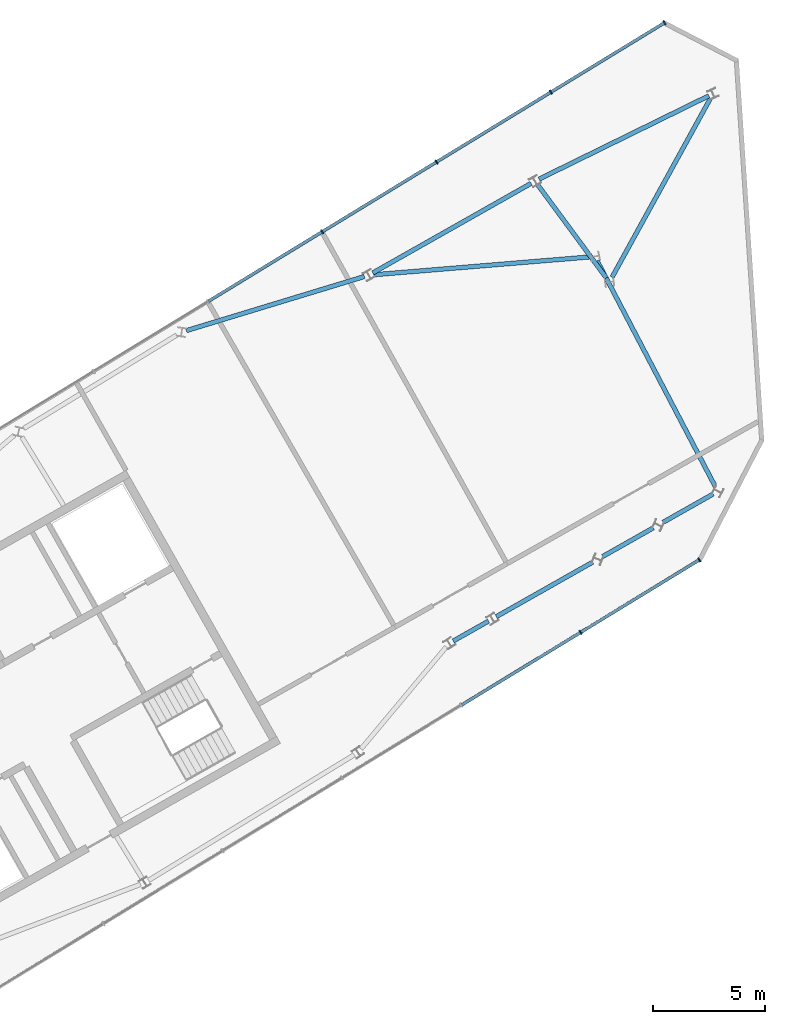
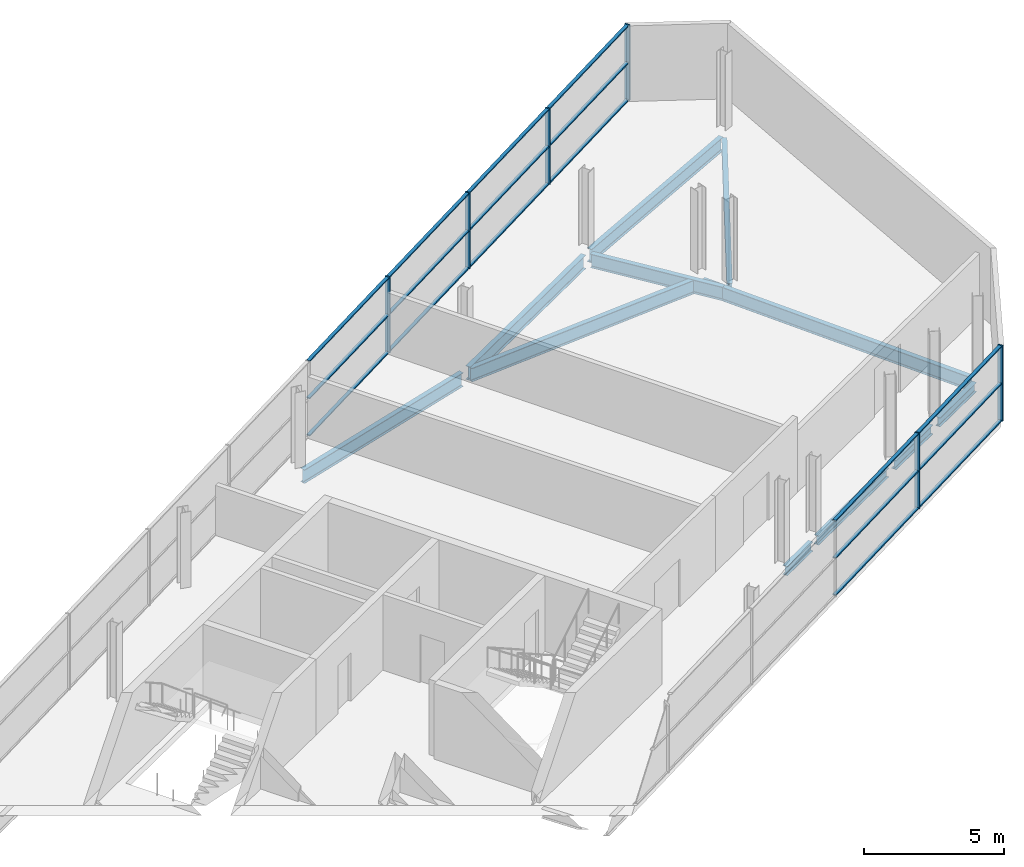
# One storey, part 5 of 8: 24 members, 11 beams, 2 elements without a shape of their own.
"""IFC4 building model written with IfcOpenShell, lengths in metres."""

from ifc_helpers import new_model, si_unit, direction, frame, origin, origin_2d, place, context, subcontext, project, spatial, rectangle, i_section, extrude, material, material_profile, profile_set, type_object, element, aggregate, save


model = new_model("IFC4")

# Units and contexts
model_context = context("Model", 3, precision=1e-05, world=origin(), true_north=direction((0.0, 1.0)))
body_context = subcontext(model_context, "Body", "Model", "MODEL_VIEW")
ifc_project = project(units=[si_unit("LENGTHUNIT", "METRE"), si_unit("AREAUNIT", "SQUARE_METRE"), si_unit("VOLUMEUNIT", "CUBIC_METRE"), si_unit("PLANEANGLEUNIT", "RADIAN"), si_unit("MASSUNIT", "GRAM", prefix="KILO")], contexts=[model_context])

# Site, building, storey
site_placement = place(None, origin())
site = spatial("IfcSite", under=ifc_project, at=site_placement, CompositionType="ELEMENT")
building_placement = place(site_placement, origin())
building = spatial("IfcBuilding", under=site, at=building_placement, Name="Binnacle Exchange Tower", CompositionType="ELEMENT")
storey_placement = place(building_placement, frame((0.0, 0.0, 350.5)))
storey = spatial("IfcBuildingStorey", under=building, at=storey_placement, Name="L80", CompositionType="ELEMENT", Elevation=350.5)

# Curtain wall, members
ifc_material_1 = material(Name="Bronze anodised aluminium frame", Category="aluminium")
curtain_wall_type = type_object("IfcCurtainWallType", Name="External wall - curtain wall crown tiers", PredefinedType="NOTDEFINED", material=ifc_material_1)
curtain_wall_1_placement = place(storey_placement, origin())
curtain_wall_1 = element("IfcCurtainWall", 1, at=curtain_wall_1_placement, inside=storey, type_object=curtain_wall_type, Name="External wall curtain wall CW5-C103 L80", PredefinedType="NOTDEFINED")
ifc_material_profile_1 = material_profile(ifc_material_1, rectangle(XDim=0.199951171875, YDim=0.06005859375, at=origin_2d()), Name="AL 60x200")
ifc_profile_set_1 = profile_set([ifc_material_profile_1], Name="Bronze anodised aluminium frame")
member_type_1 = type_object("IfcMemberType", Name="CW5 MULLION 60x200", PredefinedType="MULLION", material=ifc_profile_set_1)
member_1_placement = place(storey_placement, frame((-7.77392578125, 70.021728515625, 0.0), z_axis=(0.0, 0.0, 1.0), x_axis=(0.521156922554, -0.853460873194, 0.0)))
member_1 = element("IfcMember", 2, at=member_1_placement, type_object=member_type_1, Name="CW5-C103 mullion 1", PredefinedType="MULLION", context=body_context, shape_type="SweptSolid", body=[
    extrude(rectangle(XDim=0.199951171875, YDim=0.06005859375, at=origin_2d()), origin(), (0.0, 0.0, 1.0), 3.300048828125),
])
member_2_placement = place(storey_placement, frame((-12.85009765625, 66.92236328125, 0.0), z_axis=(0.0, 0.0, 1.0), x_axis=(0.521156922554, -0.853460873194, 0.0)))
member_2 = element("IfcMember", 3, at=member_2_placement, type_object=member_type_1, Name="CW5-C103 mullion 2", PredefinedType="MULLION", context=body_context, shape_type="SweptSolid", body=[
    extrude(rectangle(XDim=0.199951171875, YDim=0.06005859375, at=origin_2d()), origin(), (0.0, 0.0, 1.0), 3.300048828125),
])
member_3_placement = place(storey_placement, frame((-17.95166015625, 63.80712890625, 0.0), z_axis=(0.0, 0.0, 1.0), x_axis=(0.521156922554, -0.853460873194, 0.0)))
member_3 = element("IfcMember", 4, at=member_3_placement, type_object=member_type_1, Name="CW5-C103 mullion 3", PredefinedType="MULLION", context=body_context, shape_type="SweptSolid", body=[
    extrude(rectangle(XDim=0.199951171875, YDim=0.06005859375, at=origin_2d()), origin(), (0.0, 0.0, 1.0), 3.300048828125),
])
member_4_placement = place(storey_placement, frame((-23.05322265625, 60.69189453125, 0.0), z_axis=(0.0, 0.0, 1.0), x_axis=(0.521156922554, -0.853460873194, 0.0)))
member_4 = element("IfcMember", 5, at=member_4_placement, type_object=member_type_1, Name="CW5-C103 mullion 4", PredefinedType="MULLION", context=body_context, shape_type="SweptSolid", body=[
    extrude(rectangle(XDim=0.199951171875, YDim=0.06005859375, at=origin_2d()), origin(), (0.0, 0.0, 1.0), 3.300048828125),
])

curtain_wall_2_placement = place(storey_placement, origin())
curtain_wall_2 = element("IfcCurtainWall", 6, at=curtain_wall_2_placement, inside=storey, type_object=curtain_wall_type, Name="External wall curtain wall CW5-C107 L80", PredefinedType="NOTDEFINED")
member_5_placement = place(storey_placement, frame((-11.52099609375, 42.810791015625, 0.0), z_axis=(0.0, 0.0, 1.0), x_axis=(-0.521156922554, 0.853460873194, 0.0)))
member_5 = element("IfcMember", 7, at=member_5_placement, type_object=member_type_1, Name="CW5-C107 mullion 6", PredefinedType="MULLION", context=body_context, shape_type="SweptSolid", body=[
    extrude(rectangle(XDim=0.199951171875, YDim=0.06005859375, at=origin_2d()), origin(), (0.0, 0.0, 1.0), 3.300048828125),
])
member_6_placement = place(storey_placement, frame((-6.2216796875, 46.046875, 0.0), z_axis=(0.0, 0.0, 1.0), x_axis=(-0.521156922554, 0.853460873194, 0.0)))
member_6 = element("IfcMember", 8, at=member_6_placement, type_object=member_type_1, Name="CW5-C107 mullion 7", PredefinedType="MULLION", context=body_context, shape_type="SweptSolid", body=[
    extrude(rectangle(XDim=0.199951171875, YDim=0.06005859375, at=origin_2d()), origin(), (0.0, 0.0, 1.0), 3.300048828125),
])

# Member
ifc_material_profile_2 = material_profile(ifc_material_1, rectangle(XDim=0.139892578125, YDim=0.050048828125, at=origin_2d()), Name="AL 140x50")
ifc_profile_set_2 = profile_set([ifc_material_profile_2], Name="Bronze anodised aluminium frame")
member_type_2 = type_object("IfcMemberType", Name="CW5 TRANSOM 50x140", PredefinedType="USERDEFINED", material=ifc_profile_set_2)
member_7_placement = place(storey_placement, frame((-7.799560546875, 70.006103515625, 0.02490234375), z_axis=(-0.853482677696, -0.521121213225, 0.0), x_axis=(0.521121213225, -0.853482677696, 0.0)))
member_7 = element("IfcMember", 9, at=member_7_placement, type_object=member_type_2, Name="CW5-C103 transom 1.1", ObjectType="TRANSOM", PredefinedType="USERDEFINED", context=body_context, shape_type="SweptSolid", body=[
    extrude(rectangle(XDim=0.139892578125, YDim=0.050048828125, at=origin_2d()), origin(), (0.0, 0.0, 1.0), 5.887451171875),
])

member_8_placement = place(storey_placement, frame((-7.799560546875, 70.006103515625, 1.64990234375), z_axis=(-0.853482677696, -0.521121213225, 0.0), x_axis=(0.521121213225, -0.853482677696, 0.0)))
member_8 = element("IfcMember", 10, at=member_8_placement, type_object=member_type_2, Name="CW5-C103 transom 1.2", ObjectType="TRANSOM", PredefinedType="USERDEFINED", context=body_context, shape_type="SweptSolid", body=[
    extrude(rectangle(XDim=0.139892578125, YDim=0.050048828125, at=origin_2d()), origin(), (0.0, 0.0, 1.0), 5.887451171875),
])

member_9_placement = place(storey_placement, frame((-7.799560546875, 70.006103515625, 3.27490234375), z_axis=(-0.853482677696, -0.521121213225, 0.0), x_axis=(0.521121213225, -0.853482677696, 0.0)))
member_9 = element("IfcMember", 11, at=member_9_placement, type_object=member_type_2, Name="CW5-C103 transom 1.3", ObjectType="TRANSOM", PredefinedType="USERDEFINED", context=body_context, shape_type="SweptSolid", body=[
    extrude(rectangle(XDim=0.139892578125, YDim=0.050048828125, at=origin_2d()), origin(), (0.0, 0.0, 1.0), 5.887451171875),
])

member_10_placement = place(storey_placement, frame((-12.875732421875, 66.906494140625, 0.02490234375), z_axis=(-0.85347351214, -0.521136224105, 0.0), x_axis=(0.521136224105, -0.85347351214, 0.0)))
member_10 = element("IfcMember", 12, at=member_10_placement, type_object=member_type_2, Name="CW5-C103 transom 2.1", ObjectType="TRANSOM", PredefinedType="USERDEFINED", context=body_context, shape_type="SweptSolid", body=[
    extrude(rectangle(XDim=0.139892578125, YDim=0.050048828125, at=origin_2d()), origin(), (0.0, 0.0, 1.0), 5.917236328125),
])

member_11_placement = place(storey_placement, frame((-12.875732421875, 66.906494140625, 1.64990234375), z_axis=(-0.85347351214, -0.521136224105, 0.0), x_axis=(0.521136224105, -0.85347351214, 0.0)))
member_11 = element("IfcMember", 13, at=member_11_placement, type_object=member_type_2, Name="CW5-C103 transom 2.2", ObjectType="TRANSOM", PredefinedType="USERDEFINED", context=body_context, shape_type="SweptSolid", body=[
    extrude(rectangle(XDim=0.139892578125, YDim=0.050048828125, at=origin_2d()), origin(), (0.0, 0.0, 1.0), 5.917236328125),
])

member_12_placement = place(storey_placement, frame((-12.875732421875, 66.906494140625, 3.27490234375), z_axis=(-0.85347351214, -0.521136224105, 0.0), x_axis=(0.521136224105, -0.85347351214, 0.0)))
member_12 = element("IfcMember", 14, at=member_12_placement, type_object=member_type_2, Name="CW5-C103 transom 2.3", ObjectType="TRANSOM", PredefinedType="USERDEFINED", context=body_context, shape_type="SweptSolid", body=[
    extrude(rectangle(XDim=0.139892578125, YDim=0.050048828125, at=origin_2d()), origin(), (0.0, 0.0, 1.0), 5.917236328125),
])

member_13_placement = place(storey_placement, frame((-17.977294921875, 63.79150390625, 0.02490234375), z_axis=(-0.853455161213, -0.521166276537, 0.0), x_axis=(0.521166276537, -0.853455161213, 0.0)))
member_13 = element("IfcMember", 15, at=member_13_placement, type_object=member_type_2, Name="CW5-C103 transom 3.1", ObjectType="TRANSOM", PredefinedType="USERDEFINED", context=body_context, shape_type="SweptSolid", body=[
    extrude(rectangle(XDim=0.139892578125, YDim=0.050048828125, at=origin_2d()), origin(), (0.0, 0.0, 1.0), 5.91748046875),
])

member_14_placement = place(storey_placement, frame((-17.977294921875, 63.79150390625, 1.64990234375), z_axis=(-0.853455161213, -0.521166276537, 0.0), x_axis=(0.521166276537, -0.853455161213, 0.0)))
member_14 = element("IfcMember", 16, at=member_14_placement, type_object=member_type_2, Name="CW5-C103 transom 3.2", ObjectType="TRANSOM", PredefinedType="USERDEFINED", context=body_context, shape_type="SweptSolid", body=[
    extrude(rectangle(XDim=0.139892578125, YDim=0.050048828125, at=origin_2d()), origin(), (0.0, 0.0, 1.0), 5.91748046875),
])

member_15_placement = place(storey_placement, frame((-17.977294921875, 63.79150390625, 3.27490234375), z_axis=(-0.853455161213, -0.521166276537, 0.0), x_axis=(0.521166276537, -0.853455161213, 0.0)))
member_15 = element("IfcMember", 17, at=member_15_placement, type_object=member_type_2, Name="CW5-C103 transom 3.3", ObjectType="TRANSOM", PredefinedType="USERDEFINED", context=body_context, shape_type="SweptSolid", body=[
    extrude(rectangle(XDim=0.139892578125, YDim=0.050048828125, at=origin_2d()), origin(), (0.0, 0.0, 1.0), 5.91748046875),
])

member_16_placement = place(storey_placement, frame((-23.078857421875, 60.67626953125, 0.02490234375), z_axis=(-0.853455161213, -0.521166276537, 0.0), x_axis=(0.521166276537, -0.853455161213, 0.0)))
member_16 = element("IfcMember", 18, at=member_16_placement, type_object=member_type_2, Name="CW5-C103 transom 4.1", ObjectType="TRANSOM", PredefinedType="USERDEFINED", context=body_context, shape_type="SweptSolid", body=[
    extrude(rectangle(XDim=0.139892578125, YDim=0.050048828125, at=origin_2d()), origin(), (0.0, 0.0, 1.0), 5.91748046875),
])

member_17_placement = place(storey_placement, frame((-23.078857421875, 60.67626953125, 1.64990234375), z_axis=(-0.853455161213, -0.521166276537, 0.0), x_axis=(0.521166276537, -0.853455161213, 0.0)))
member_17 = element("IfcMember", 19, at=member_17_placement, type_object=member_type_2, Name="CW5-C103 transom 4.2", ObjectType="TRANSOM", PredefinedType="USERDEFINED", context=body_context, shape_type="SweptSolid", body=[
    extrude(rectangle(XDim=0.139892578125, YDim=0.050048828125, at=origin_2d()), origin(), (0.0, 0.0, 1.0), 5.91748046875),
])

member_18_placement = place(storey_placement, frame((-23.078857421875, 60.67626953125, 3.27490234375), z_axis=(-0.853455161213, -0.521166276537, 0.0), x_axis=(0.521166276537, -0.853455161213, 0.0)))
member_18 = element("IfcMember", 20, at=member_18_placement, type_object=member_type_2, Name="CW5-C103 transom 4.3", ObjectType="TRANSOM", PredefinedType="USERDEFINED", context=body_context, shape_type="SweptSolid", body=[
    extrude(rectangle(XDim=0.139892578125, YDim=0.050048828125, at=origin_2d()), origin(), (0.0, 0.0, 1.0), 5.91748046875),
])

aggregate(curtain_wall_1, [member_1, member_2, member_3, member_4, member_7, member_8, member_9, member_10, member_11, member_12, member_13, member_14, member_15, member_16, member_17, member_18])

member_19_placement = place(storey_placement, frame((-16.8203125, 39.574951171875, 0.02490234375), z_axis=(0.853468322324, 0.52114472346, 0.0), x_axis=(-0.52114472346, 0.853468322324, 0.0)))
member_19 = element("IfcMember", 21, at=member_19_placement, type_object=member_type_2, Name="CW5-C107 transom 5.1", ObjectType="TRANSOM", PredefinedType="USERDEFINED", context=body_context, shape_type="SweptSolid", body=[
    extrude(rectangle(XDim=0.139892578125, YDim=0.050048828125, at=origin_2d()), origin(), (0.0, 0.0, 1.0), 6.17919921875),
])

member_20_placement = place(storey_placement, frame((-16.8203125, 39.574951171875, 1.64990234375), z_axis=(0.853468322324, 0.52114472346, 0.0), x_axis=(-0.52114472346, 0.853468322324, 0.0)))
member_20 = element("IfcMember", 22, at=member_20_placement, type_object=member_type_2, Name="CW5-C107 transom 5.2", ObjectType="TRANSOM", PredefinedType="USERDEFINED", context=body_context, shape_type="SweptSolid", body=[
    extrude(rectangle(XDim=0.139892578125, YDim=0.050048828125, at=origin_2d()), origin(), (0.0, 0.0, 1.0), 6.17919921875),
])

member_21_placement = place(storey_placement, frame((-16.8203125, 39.574951171875, 3.27490234375), z_axis=(0.853468322324, 0.52114472346, 0.0), x_axis=(-0.52114472346, 0.853468322324, 0.0)))
member_21 = element("IfcMember", 23, at=member_21_placement, type_object=member_type_2, Name="CW5-C107 transom 5.3", ObjectType="TRANSOM", PredefinedType="USERDEFINED", context=body_context, shape_type="SweptSolid", body=[
    extrude(rectangle(XDim=0.139892578125, YDim=0.050048828125, at=origin_2d()), origin(), (0.0, 0.0, 1.0), 6.17919921875),
])

member_22_placement = place(storey_placement, frame((-11.495361328125, 42.826416015625, 0.02490234375), z_axis=(0.853448630417, 0.521176971133, 0.0), x_axis=(-0.521176971133, 0.853448630417, 0.0)))
member_22 = element("IfcMember", 24, at=member_22_placement, type_object=member_type_2, Name="CW5-C107 transom 6.1", ObjectType="TRANSOM", PredefinedType="USERDEFINED", context=body_context, shape_type="SweptSolid", body=[
    extrude(rectangle(XDim=0.139892578125, YDim=0.050048828125, at=origin_2d()), origin(), (0.0, 0.0, 1.0), 6.149169921875),
])

member_23_placement = place(storey_placement, frame((-11.495361328125, 42.826416015625, 1.64990234375), z_axis=(0.853448630417, 0.521176971133, 0.0), x_axis=(-0.521176971133, 0.853448630417, 0.0)))
member_23 = element("IfcMember", 25, at=member_23_placement, type_object=member_type_2, Name="CW5-C107 transom 6.2", ObjectType="TRANSOM", PredefinedType="USERDEFINED", context=body_context, shape_type="SweptSolid", body=[
    extrude(rectangle(XDim=0.139892578125, YDim=0.050048828125, at=origin_2d()), origin(), (0.0, 0.0, 1.0), 6.149169921875),
])

member_24_placement = place(storey_placement, frame((-11.495361328125, 42.826416015625, 3.27490234375), z_axis=(0.853448630417, 0.521176971133, 0.0), x_axis=(-0.521176971133, 0.853448630417, 0.0)))
member_24 = element("IfcMember", 26, at=member_24_placement, type_object=member_type_2, Name="CW5-C107 transom 6.3", ObjectType="TRANSOM", PredefinedType="USERDEFINED", context=body_context, shape_type="SweptSolid", body=[
    extrude(rectangle(XDim=0.139892578125, YDim=0.050048828125, at=origin_2d()), origin(), (0.0, 0.0, 1.0), 6.149169921875),
])

aggregate(curtain_wall_2, [member_5, member_6, member_19, member_20, member_21, member_22, member_23, member_24])

# Beams
ifc_material_2 = material(Name="Steel S355 (SHN355)", Category="steel")
ifc_material_profile_3 = material_profile(ifc_material_2, i_section(OverallWidth=0.199951171875, OverallDepth=0.39990234375, WebThickness=0.008056640625, FlangeThickness=0.012939453125, FilletRadius=0.01611328125, at=origin_2d()), Name="H 400x200x8x13")
ifc_profile_set_3 = profile_set([ifc_material_profile_3], Name="Steel S355 (SHN355)")
beam_type_1 = type_object("IfcBeamType", Name="Edge girder H 400x200x8x13 Steel S355 (SHN355)", PredefinedType="SPANDREL", material=ifc_profile_set_3)
beam_1_placement = place(storey_placement, frame((-17.20751953125, 42.422607421875, -0.5), z_axis=(0.87030156325, 0.492519227041, 0.0), x_axis=(-0.492519227041, 0.87030156325, 0.0)))
element("IfcBeam", 27, at=beam_1_placement, inside=storey, type_object=beam_type_1, Name="S:BM:edge:L80:016", PredefinedType="SPANDREL", context=body_context, shape_type="SweptSolid", body=[
    extrude(i_section(OverallWidth=0.199951171875, OverallDepth=0.39990234375, WebThickness=0.008056640625, FlangeThickness=0.012939453125, FilletRadius=0.01611328125, at=origin_2d()), origin(), (0.0, 0.0, 1.0), 1.810791015625),
])
beam_2_placement = place(storey_placement, frame((-15.283203125, 43.511474609375, -0.5), z_axis=(0.87035197646, 0.492430134203, 0.0), x_axis=(-0.492430134203, 0.87035197646, 0.0)))
element("IfcBeam", 28, at=beam_2_placement, inside=storey, type_object=beam_type_1, Name="S:BM:edge:L80:017", PredefinedType="SPANDREL", context=body_context, shape_type="SweptSolid", body=[
    extrude(i_section(OverallWidth=0.199951171875, OverallDepth=0.39990234375, WebThickness=0.008056640625, FlangeThickness=0.012939453125, FilletRadius=0.01611328125, at=origin_2d()), origin(), (0.0, 0.0, 1.0), 4.93994140625),
])
beam_3_placement = place(storey_placement, frame((-10.53662109375, 46.197021484375, -0.5), z_axis=(0.870349468157, 0.49243456751, 0.0), x_axis=(-0.49243456751, 0.870349468157, 0.0)))
element("IfcBeam", 29, at=beam_3_placement, inside=storey, type_object=beam_type_1, Name="S:BM:edge:L80:019", PredefinedType="SPANDREL", context=body_context, shape_type="SweptSolid", body=[
    extrude(i_section(OverallWidth=0.199951171875, OverallDepth=0.39990234375, WebThickness=0.008056640625, FlangeThickness=0.012939453125, FilletRadius=0.01611328125, at=origin_2d()), origin(), (0.0, 0.0, 1.0), 2.600830078125),
])
beam_4_placement = place(storey_placement, frame((-7.8427734375, 47.72119140625, -0.5), z_axis=(0.870385887818, 0.492370192323, 0.0), x_axis=(-0.492370192323, 0.870385887818, 0.0)))
element("IfcBeam", 30, at=beam_4_placement, inside=storey, type_object=beam_type_1, Name="S:BM:edge:L80:020", PredefinedType="SPANDREL", context=body_context, shape_type="SweptSolid", body=[
    extrude(i_section(OverallWidth=0.199951171875, OverallDepth=0.39990234375, WebThickness=0.008056640625, FlangeThickness=0.012939453125, FilletRadius=0.01611328125, at=origin_2d()), origin(), (0.0, 0.0, 1.0), 2.570556640625),
])
ifc_material_profile_4 = material_profile(ifc_material_2, i_section(OverallWidth=0.199951171875, OverallDepth=0.60009765625, WebThickness=0.010986328125, FlangeThickness=0.01708984375, FilletRadius=0.02197265625, at=origin_2d()), Name="H 600x200x11x17")
ifc_profile_set_4 = profile_set([ifc_material_profile_4], Name="Steel S355 (SHN355)")
beam_type_2 = type_object("IfcBeamType", Name="Edge girder H 600x200x11x17 Steel S355 (SHN355)", PredefinedType="SPANDREL", material=ifc_profile_set_4)
beam_5_placement = place(storey_placement, frame((-21.169921875, 58.695068359375, -0.60009765625), z_axis=(-0.956769211399, -0.290848201162, 0.0), x_axis=(0.290848201162, -0.956769211399, 0.0)))
element("IfcBeam", 31, at=beam_5_placement, inside=storey, type_object=beam_type_2, Name="S:BM:edge:L80:015", PredefinedType="SPANDREL", context=body_context, shape_type="SweptSolid", body=[
    extrude(i_section(OverallWidth=0.199951171875, OverallDepth=0.60009765625, WebThickness=0.010986328125, FlangeThickness=0.01708984375, FilletRadius=0.02197265625, at=origin_2d()), origin(), (0.0, 0.0, 1.0), 8.3076171875),
])
beam_6_placement = place(storey_placement, frame((-13.730224609375, 62.85302734375, -0.60009765625), z_axis=(-0.870356756606, -0.492421685378, 0.0), x_axis=(0.492421685378, -0.870356756606, 0.0)))
element("IfcBeam", 32, at=beam_6_placement, inside=storey, type_object=beam_type_2, Name="S:BM:edge:L80:018", PredefinedType="SPANDREL", context=body_context, shape_type="SweptSolid", body=[
    extrude(i_section(OverallWidth=0.199951171875, OverallDepth=0.60009765625, WebThickness=0.010986328125, FlangeThickness=0.01708984375, FilletRadius=0.02197265625, at=origin_2d()), origin(), (0.0, 0.0, 1.0), 8.12255859375),
])
beam_7_placement = place(storey_placement, frame((-5.79248046875, 66.763671875, -0.60009765625), z_axis=(-0.897623129151, -0.440763789362, 0.0), x_axis=(0.440763789362, -0.897623129151, 0.0)))
element("IfcBeam", 33, at=beam_7_placement, inside=storey, type_object=beam_type_2, Name="S:BM:edge:L80:021", PredefinedType="SPANDREL", context=body_context, shape_type="SweptSolid", body=[
    extrude(i_section(OverallWidth=0.199951171875, OverallDepth=0.60009765625, WebThickness=0.010986328125, FlangeThickness=0.01708984375, FilletRadius=0.02197265625, at=origin_2d()), origin(), (0.0, 0.0, 1.0), 8.44873046875),
])
ifc_material_profile_5 = material_profile(ifc_material_2, i_section(OverallWidth=0.199951171875, OverallDepth=0.60009765625, WebThickness=0.010986328125, FlangeThickness=0.01708984375, FilletRadius=0.02197265625, at=origin_2d()), Name="H 600x200x11x17")
ifc_profile_set_5 = profile_set([ifc_material_profile_5], Name="Steel S355 (SHN355)")
beam_type_3 = type_object("IfcBeamType", Name="Spine girder H 600x200x11x17 Steel S355 (SHN355)", PredefinedType="BEAM", material=ifc_profile_set_5)
beam_8_placement = place(storey_placement, frame((-11.0830078125, 59.5703125, -0.60009765625), z_axis=(-0.996616529579, -0.082191805981, 0.0), x_axis=(0.082191805981, -0.996616529579, 0.0)))
element("IfcBeam", 34, at=beam_8_placement, inside=storey, type_object=beam_type_3, Name="S:BM:spine:L80:002", PredefinedType="BEAM", context=body_context, shape_type="SweptSolid", body=[
    extrude(i_section(OverallWidth=0.199951171875, OverallDepth=0.60009765625, WebThickness=0.010986328125, FlangeThickness=0.01708984375, FilletRadius=0.02197265625, at=origin_2d()), origin(), (0.0, 0.0, 1.0), 9.7041015625),
])
beam_9_placement = place(storey_placement, frame((-10.785888671875, 59.40234375, -0.60009765625), z_axis=(0.463599644681, -0.886044789755, 0.0), x_axis=(0.886044789755, 0.463599644681, 0.0)))
element("IfcBeam", 35, at=beam_9_placement, inside=storey, type_object=beam_type_3, Name="S:BM:spine:L80:003", PredefinedType="BEAM", context=body_context, shape_type="SweptSolid", body=[
    extrude(i_section(OverallWidth=0.199951171875, OverallDepth=0.60009765625, WebThickness=0.010986328125, FlangeThickness=0.01708984375, FilletRadius=0.02197265625, at=origin_2d()), origin(), (0.0, 0.0, 1.0), 11.378173828125),
])
beam_10_placement = place(storey_placement, frame((-10.371826171875, 58.62890625, -0.60009765625), z_axis=(-0.593091051787, 0.805135395005, 0.0), x_axis=(-0.805135395005, -0.593091051787, 0.0)))
element("IfcBeam", 36, at=beam_10_placement, inside=storey, type_object=beam_type_3, Name="S:BM:spine:L80:004", PredefinedType="BEAM", context=body_context, shape_type="SweptSolid", body=[
    extrude(i_section(OverallWidth=0.199951171875, OverallDepth=0.60009765625, WebThickness=0.010986328125, FlangeThickness=0.01708984375, FilletRadius=0.02197265625, at=origin_2d()), origin(), (0.0, 0.0, 1.0), 5.167236328125),
])
beam_11_placement = place(storey_placement, frame((-10.11669921875, 58.663330078125, -0.60009765625), z_axis=(0.481932147497, 0.876208539795, 0.0), x_axis=(-0.876208539795, 0.481932147497, 0.0)))
element("IfcBeam", 37, at=beam_11_placement, inside=storey, type_object=beam_type_3, Name="S:BM:spine:L80:005", PredefinedType="BEAM", context=body_context, shape_type="SweptSolid", body=[
    extrude(i_section(OverallWidth=0.199951171875, OverallDepth=0.60009765625, WebThickness=0.010986328125, FlangeThickness=0.01708984375, FilletRadius=0.02197265625, at=origin_2d()), origin(), (0.0, 0.0, 1.0), 9.09375),
])

save(model, "model.ifc")
